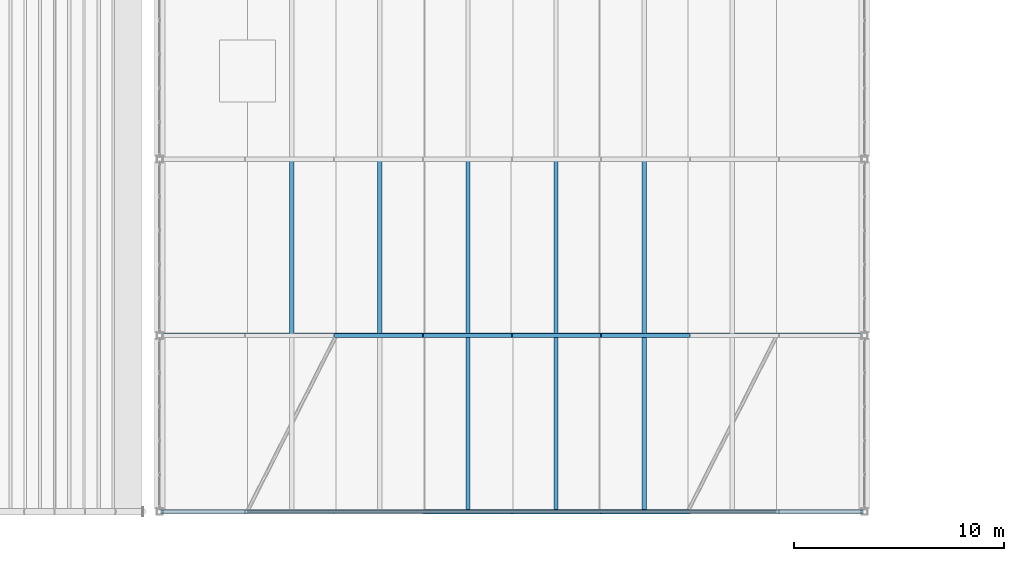
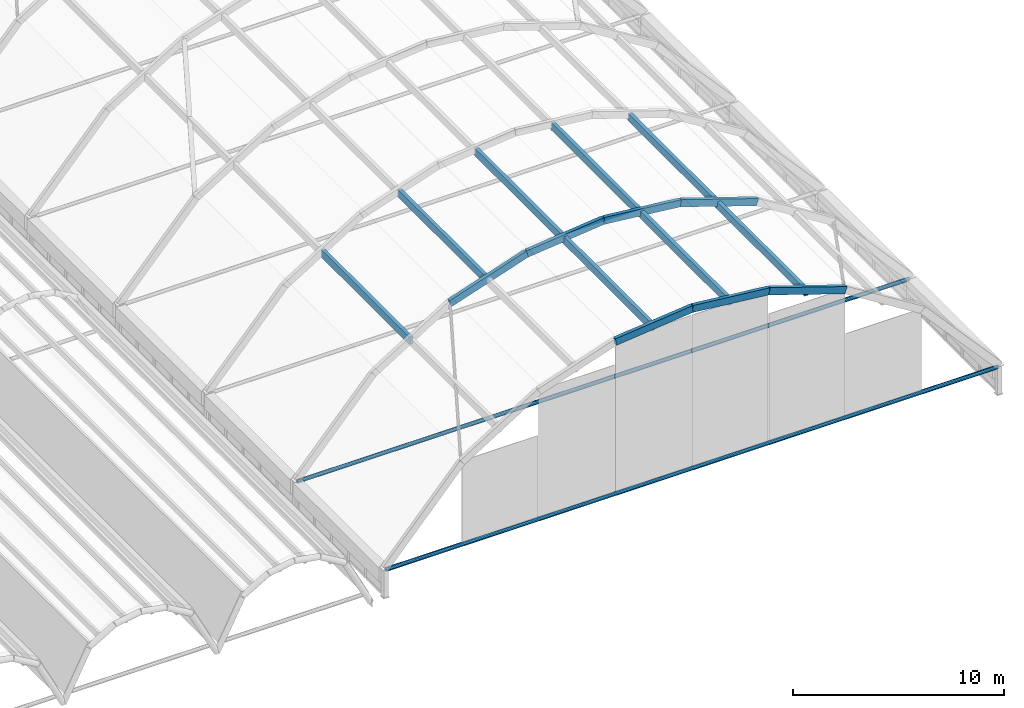
# One storey, part 16 of 114: 9 beams, 8 members.
"""IFC4 building model written with IfcOpenShell, lengths in metres."""

from ifc_helpers import new_model, si_unit, direction, frame, origin, origin_2d, place, context, subcontext, project, spatial, rectangle, hollow_rectangle, hollow_circle, extrude, material, material_profile, profile_set, type_object, element, save


model = new_model("IFC4")

# Units and contexts
model_context = context("Model", 3, precision=1e-05, world=origin(), true_north=direction((0.0, 1.0)))
body_context = subcontext(model_context, "Body", "Model", "MODEL_VIEW")
ifc_project = project(units=[si_unit("LENGTHUNIT", "METRE"), si_unit("AREAUNIT", "SQUARE_METRE"), si_unit("VOLUMEUNIT", "CUBIC_METRE"), si_unit("PLANEANGLEUNIT", "RADIAN"), si_unit("MASSUNIT", "GRAM", prefix="KILO")], contexts=[model_context])

# Site, building, storey
site_placement = place(None, origin())
site = spatial("IfcSite", under=ifc_project, at=site_placement, CompositionType="ELEMENT")
building_placement = place(site_placement, origin())
building = spatial("IfcBuilding", under=site, at=building_placement, Name="Xazarin Passage Department Store", CompositionType="ELEMENT")
storey_placement = place(building_placement, frame((0.0, 0.0, 14.39990234375)))
storey = spatial("IfcBuildingStorey", under=building, at=storey_placement, Name="L03", CompositionType="ELEMENT", Elevation=14.39990234375)

# Beams
ifc_material_1 = material(Name="Steel S355", Category="steel")
ifc_material_profile_1 = material_profile(ifc_material_1, hollow_rectangle(XDim=0.199951171875, YDim=0.39990234375, WallThickness=0.01611328125, at=origin_2d()), Name="RHS 400x200x16")
ifc_profile_set_1 = profile_set([ifc_material_profile_1], Name="Steel S355")
beam_type_1 = type_object("IfcBeamType", Name="STR-BM-AR400", PredefinedType="BEAM", material=ifc_profile_set_1)
for number, where, z_axis, x_axis, name in (
    (1, (80.60009765625, 0.0, 10.35400390625), (0.994407785938, 0.0, 0.105608499966), (0.0, 1.0, 0.0), "V2S Primary Arch Rib 1.4"),
    (2, (84.800048828125, 0.0, 10.800048828125), (0.994407785938, 0.0, -0.105608499966), (0.0, 1.0, 0.0), "V2S Primary Arch Rib 1.5"),
):
    element("IfcBeam", number, at=place(storey_placement, frame(where, z_axis=z_axis, x_axis=x_axis)), inside=storey, type_object=beam_type_1, Name=name, PredefinedType="BEAM", context=body_context, shape_type="SweptSolid", body=[
        extrude(hollow_rectangle(XDim=0.199951171875, YDim=0.39990234375, WallThickness=0.01611328125, at=origin_2d()), origin(), (0.0, 0.0, 1.0), 4.2236328125),
    ])
beam_1_placement = place(storey_placement, frame((89.0, 0.0, 10.35400390625), z_axis=(0.948457009421, 0.0, -0.316905823993), x_axis=(0.0, 1.0, 0.0)))
element("IfcBeam", 3, at=beam_1_placement, inside=storey, type_object=beam_type_1, Name="V2S Primary Arch Rib 1.6", PredefinedType="BEAM", context=body_context, shape_type="SweptSolid", body=[
    extrude(hollow_rectangle(XDim=0.199951171875, YDim=0.39990234375, WallThickness=0.01611328125, at=origin_2d()), origin(), (0.0, 0.0, 1.0), 4.42822265625),
])
beam_2_placement = place(storey_placement, frame((76.39990234375, 8.39990234375, 8.95068359375), z_axis=(0.948462545979, 0.0, 0.31688925333), x_axis=(0.0, 1.0, 0.0)))
element("IfcBeam", 4, at=beam_2_placement, inside=storey, type_object=beam_type_1, Name="V2S Primary Arch Rib 2.3", PredefinedType="BEAM", context=body_context, shape_type="SweptSolid", body=[
    extrude(hollow_rectangle(XDim=0.199951171875, YDim=0.39990234375, WallThickness=0.01611328125, at=origin_2d()), origin(), (0.0, 0.0, 1.0), 4.428466796875),
])
for number, where, z_axis, x_axis, name in (
    (5, (80.60009765625, 8.39990234375, 10.35400390625), (0.994407785938, 0.0, 0.105608499966), (0.0, 1.0, 0.0), "V2S Primary Arch Rib 2.4"),
    (6, (84.800048828125, 8.39990234375, 10.800048828125), (0.994407785938, 0.0, -0.105608499966), (0.0, 1.0, 0.0), "V2S Primary Arch Rib 2.5"),
):
    element("IfcBeam", number, at=place(storey_placement, frame(where, z_axis=z_axis, x_axis=x_axis)), inside=storey, type_object=beam_type_1, Name=name, PredefinedType="BEAM", context=body_context, shape_type="SweptSolid", body=[
        extrude(hollow_rectangle(XDim=0.199951171875, YDim=0.39990234375, WallThickness=0.01611328125, at=origin_2d()), origin(), (0.0, 0.0, 1.0), 4.2236328125),
    ])
beam_3_placement = place(storey_placement, frame((89.0, 8.39990234375, 10.35400390625), z_axis=(0.948457009421, 0.0, -0.316905823993), x_axis=(0.0, 1.0, 0.0)))
element("IfcBeam", 7, at=beam_3_placement, inside=storey, type_object=beam_type_1, Name="V2S Primary Arch Rib 2.6", PredefinedType="BEAM", context=body_context, shape_type="SweptSolid", body=[
    extrude(hollow_rectangle(XDim=0.199951171875, YDim=0.39990234375, WallThickness=0.01611328125, at=origin_2d()), origin(), (0.0, 0.0, 1.0), 4.42822265625),
])
ifc_material_profile_2 = material_profile(ifc_material_1, hollow_circle(Radius=0.109619140625, WallThickness=0.012451171875, at=origin_2d()), Name="CHS 219.1x12.5")
ifc_profile_set_2 = profile_set([ifc_material_profile_2], Name="Steel S355")
beam_type_2 = type_object("IfcBeamType", Name="STR-BM-TIE219", PredefinedType="BEAM", material=ifc_profile_set_2)
for number, where, z_axis, x_axis, name in (
    (8, (68.050048828125, 0.0, 1.53173828125), (1.0, 0.0, 0.0), (0.0, 1.0, 0.0), "V2S Arch Tie Beam 1"),
    (9, (68.050048828125, 8.39990234375, 1.53173828125), (1.0, 0.0, 0.0), (0.0, 1.0, 0.0), "V2S Arch Tie Beam 2"),
):
    element("IfcBeam", number, at=place(storey_placement, frame(where, z_axis=z_axis, x_axis=x_axis)), inside=storey, type_object=beam_type_2, Name=name, PredefinedType="BEAM", context=body_context, shape_type="SweptSolid", body=[
        extrude(hollow_circle(Radius=0.109619140625, WallThickness=0.012451171875, at=origin_2d()), origin(), (0.0, 0.0, 1.0), 33.5),
    ])

# Members
ifc_material_2 = material(Name="Glulam GL28h", Category="wood")
ifc_material_profile_3 = material_profile(ifc_material_2, rectangle(XDim=0.199951171875, YDim=0.43994140625, at=origin_2d()), Name="GL28h 200x440")
ifc_profile_set_3 = profile_set([ifc_material_profile_3], Name="Glulam GL28h")
member_type = type_object("IfcMemberType", Name="STR-MEM-GL440", PredefinedType="PURLIN", material=ifc_profile_set_3)
for number, where, z_axis, x_axis, name in (
    (10, (82.699951171875, 0.02001953125, 10.43701171875), (0.0, 1.0, 0.0), (-1.0, 0.0, 0.0), "V2S Glulam Gridshell Purlin 1.4"),
    (11, (86.89990234375, 0.02001953125, 10.43701171875), (0.0, 1.0, 0.0), (-1.0, 0.0, 0.0), "V2S Glulam Gridshell Purlin 1.5"),
    (12, (91.10009765625, 0.02001953125, 9.512451171875), (0.0, 1.0, 0.0), (-1.0, 0.0, 0.0), "V2S Glulam Gridshell Purlin 1.6"),
):
    element("IfcMember", number, at=place(storey_placement, frame(where, z_axis=z_axis, x_axis=x_axis)), inside=storey, type_object=member_type, Name=name, PredefinedType="PURLIN", context=body_context, shape_type="SweptSolid", body=[
        extrude(rectangle(XDim=0.199951171875, YDim=0.43994140625, at=origin_2d()), origin(), (0.0, 0.0, 1.0), 8.35986328125),
    ])
for number, where, z_axis, x_axis, name in (
    (13, (74.300048828125, 8.419921875, 7.501220703125), (0.0, 1.0, 0.0), (-1.0, 0.0, 0.0), "V2S Glulam Gridshell Purlin 2.2"),
    (14, (78.5, 8.419921875, 9.512451171875), (0.0, 1.0, 0.0), (-1.0, 0.0, 0.0), "V2S Glulam Gridshell Purlin 2.3"),
    (15, (82.699951171875, 8.419921875, 10.43701171875), (0.0, 1.0, 0.0), (-1.0, 0.0, 0.0), "V2S Glulam Gridshell Purlin 2.4"),
    (16, (86.89990234375, 8.419921875, 10.43701171875), (0.0, 1.0, 0.0), (-1.0, 0.0, 0.0), "V2S Glulam Gridshell Purlin 2.5"),
    (17, (91.10009765625, 8.419921875, 9.512451171875), (0.0, 1.0, 0.0), (-1.0, 0.0, 0.0), "V2S Glulam Gridshell Purlin 2.6"),
):
    element("IfcMember", number, at=place(storey_placement, frame(where, z_axis=z_axis, x_axis=x_axis)), inside=storey, type_object=member_type, Name=name, PredefinedType="PURLIN", context=body_context, shape_type="SweptSolid", body=[
        extrude(rectangle(XDim=0.199951171875, YDim=0.43994140625, at=origin_2d()), origin(), (0.0, 0.0, 1.0), 8.360107421875),
    ])

save(model, "model.ifc")
